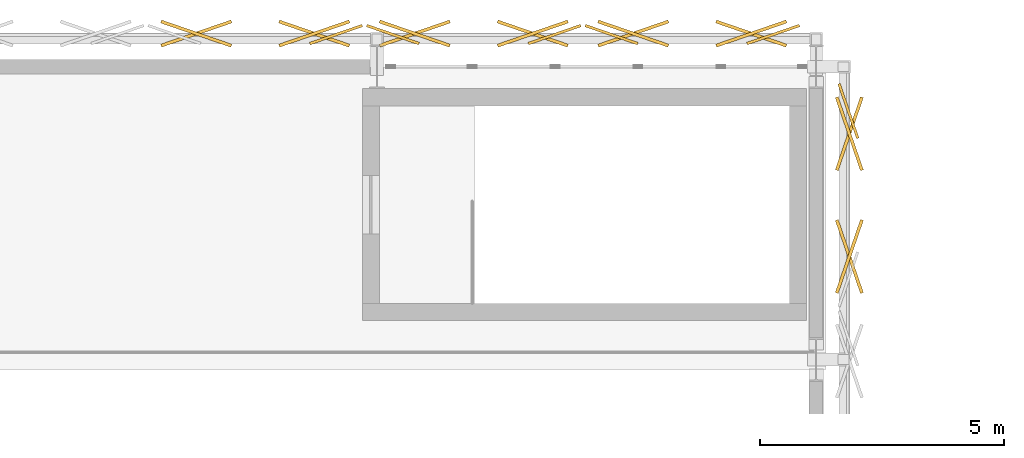
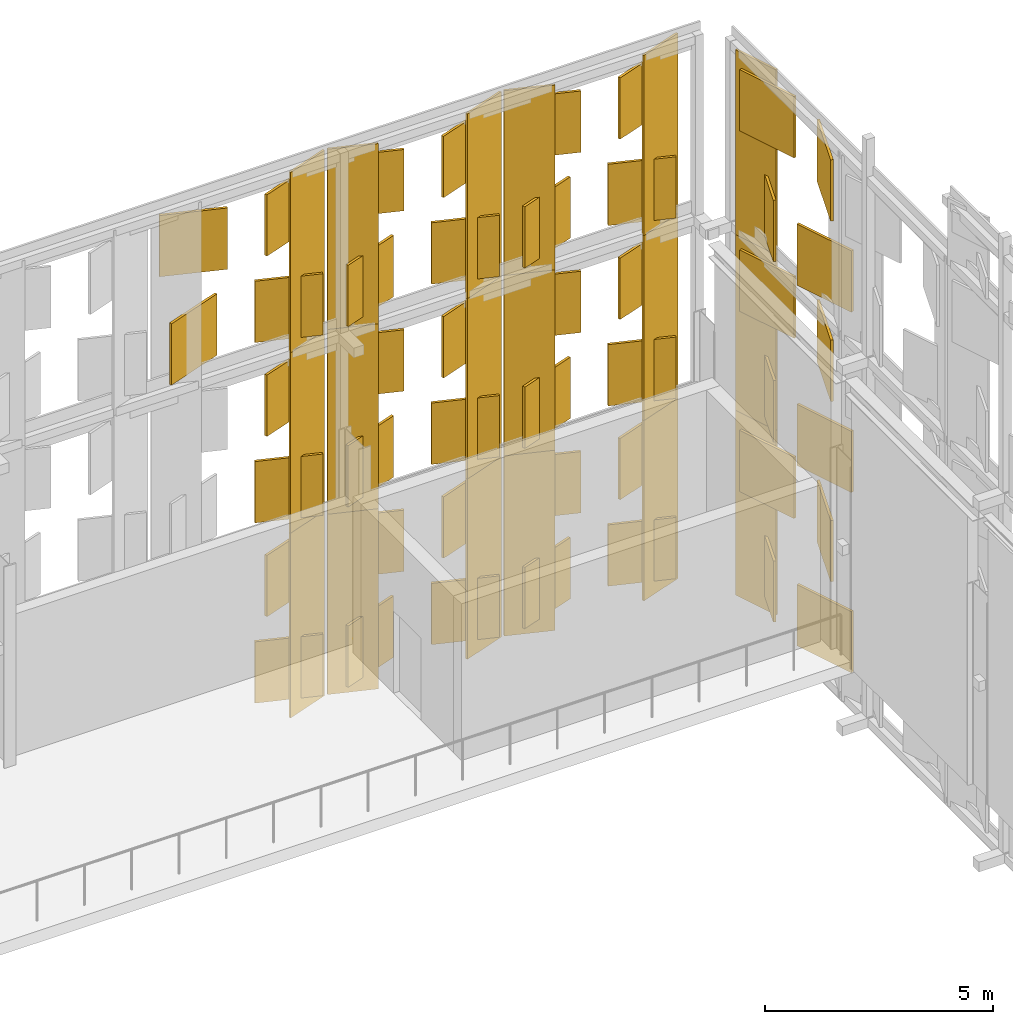
# One storey, part 203 of 210: 62 coverings.
"""IFC4 building model written with IfcOpenShell, lengths in metres."""

from ifc_helpers import new_model, si_unit, direction, frame, origin, origin_2d, place, context, subcontext, project, spatial, rectangle, extrude, material, layer, layer_set, type_object, element, save


model = new_model("IFC4")

# Units and contexts
model_context = context("Model", 3, precision=1e-05, world=origin(), true_north=direction((0.0, 1.0)))
body_context = subcontext(model_context, "Body", "Model", "MODEL_VIEW")
ifc_project = project(units=[si_unit("LENGTHUNIT", "METRE"), si_unit("AREAUNIT", "SQUARE_METRE"), si_unit("VOLUMEUNIT", "CUBIC_METRE"), si_unit("PLANEANGLEUNIT", "RADIAN"), si_unit("MASSUNIT", "GRAM", prefix="KILO")], contexts=[model_context])

# Site, building, storey
site_placement = place(None, origin())
site = spatial("IfcSite", under=ifc_project, at=site_placement, CompositionType="ELEMENT")
building_placement = place(site_placement, origin())
building = spatial("IfcBuilding", under=site, at=building_placement, Name="Kaldris Quays Convention Centre", CompositionType="ELEMENT")
storey_placement = place(building_placement, frame((0.0, 0.0, 6.0)))
storey = spatial("IfcBuildingStorey", under=building, at=storey_placement, Name="L01", CompositionType="ELEMENT", Elevation=6.0)

# Coverings
ifc_material = material(Name="Alabaster white star-pierced anodized aluminium panel", Category="aluminium")
ifc_layer = layer(ifc_material, 0.044921875)
ifc_layer_set = layer_set([ifc_layer], Name="Alabaster white star-pierced anodized aluminium panel")
covering_type = type_object("IfcCoveringType", Name="STAR PIERCED WHITE FOLDED SCREEN CL01", PredefinedType="CLADDING", material=ifc_layer_set)
covering_1_placement = place(storey_placement, frame((136.16064453125, 140.659912109375, -1.91015625), z_axis=(0.0, 0.0, 1.0), x_axis=(0.945518575599, 0.325568154457, 0.0)))
element("IfcCovering", 1, at=covering_1_placement, inside=storey, type_object=covering_type, Name="V1N Folded White Screen Stile 1022", PredefinedType="CLADDING", context=body_context, shape_type="SweptSolid", body=[
    extrude(rectangle(XDim=1.136962890625, YDim=0.054931640625, at=origin_2d()), origin(), (0.0, 0.0, 1.0), 4.952880859375),
])
for number, where, z_axis, x_axis, name in (
    (2, (135.712890625, 140.679931640625, -1.559814453125), (0.0, 0.0, 1.0), (0.945518575599, -0.325568154457, 0.0), "V1N Carved Star Corner Facet 1025"),
    (3, (135.712890625, 140.679931640625, 1.0498046875), (0.0, 0.0, 1.0), (0.945518575599, 0.325568154457, 0.0), "V1N Carved Star Corner Facet 1026"),
):
    element("IfcCovering", number, at=place(storey_placement, frame(where, z_axis=z_axis, x_axis=x_axis)), inside=storey, type_object=covering_type, Name=name, PredefinedType="CLADDING", context=body_context, shape_type="SweptSolid", body=[
        extrude(rectangle(XDim=1.52294921875, YDim=0.06494140625, at=origin_2d()), origin(), (0.0, 0.0, 1.0), 1.64306640625),
    ])
covering_2_placement = place(storey_placement, frame((136.16064453125, 140.659912109375, 2.9228515625), z_axis=(0.0, 0.0, 1.0), x_axis=(0.945518575599, 0.325568154457, 0.0)))
element("IfcCovering", 4, at=covering_2_placement, inside=storey, type_object=covering_type, Name="V1N Folded White Screen Stile 1028", PredefinedType="CLADDING", context=body_context, shape_type="SweptSolid", body=[
    extrude(rectangle(XDim=1.136962890625, YDim=0.054931640625, at=origin_2d()), origin(), (0.0, 0.0, 1.0), 4.9541015625),
])
for number, where, z_axis, x_axis, name in (
    (5, (135.712890625, 140.679931640625, 3.272705078125), (0.0, 0.0, 1.0), (0.945518575599, -0.325568154457, 0.0), "V1N Carved Star Corner Facet 1031"),
    (6, (135.712890625, 140.679931640625, 5.883056640625), (0.0, 0.0, 1.0), (0.945518575599, 0.325568154457, 0.0), "V1N Carved Star Corner Facet 1032"),
):
    element("IfcCovering", number, at=place(storey_placement, frame(where, z_axis=z_axis, x_axis=x_axis)), inside=storey, type_object=covering_type, Name=name, PredefinedType="CLADDING", context=body_context, shape_type="SweptSolid", body=[
        extrude(rectangle(XDim=1.52294921875, YDim=0.06494140625, at=origin_2d()), origin(), (0.0, 0.0, 1.0), 1.64404296875),
    ])
covering_3_placement = place(storey_placement, frame((136.16064453125, 140.659912109375, 7.7568359375), z_axis=(0.0, 0.0, 1.0), x_axis=(0.945518575599, 0.325568154457, 0.0)))
element("IfcCovering", 7, at=covering_3_placement, inside=storey, type_object=covering_type, Name="V1N Folded White Screen Stile 1034", PredefinedType="CLADDING", context=body_context, shape_type="SweptSolid", body=[
    extrude(rectangle(XDim=1.136962890625, YDim=0.054931640625, at=origin_2d()), origin(), (0.0, 0.0, 1.0), 4.952880859375),
])
for number, where, z_axis, x_axis, name in (
    (8, (133.29443359375, 140.679931640625, 8.107177734375), (0.0, 0.0, 1.0), (0.945518575599, 0.325568154457, 0.0), "V1N Carved Star Corner Facet 1035"),
    (9, (133.29443359375, 140.679931640625, 10.716796875), (0.0, 0.0, 1.0), (0.945518575599, -0.325568154457, 0.0), "V1N Carved Star Corner Facet 1036"),
    (10, (135.712890625, 140.679931640625, 8.107177734375), (0.0, 0.0, 1.0), (0.945518575599, -0.325568154457, 0.0), "V1N Carved Star Corner Facet 1037"),
    (11, (135.712890625, 140.679931640625, 10.716796875), (0.0, 0.0, 1.0), (0.945518575599, 0.325568154457, 0.0), "V1N Carved Star Corner Facet 1038"),
):
    element("IfcCovering", number, at=place(storey_placement, frame(where, z_axis=z_axis, x_axis=x_axis)), inside=storey, type_object=covering_type, Name=name, PredefinedType="CLADDING", context=body_context, shape_type="SweptSolid", body=[
        extrude(rectangle(XDim=1.52294921875, YDim=0.06494140625, at=origin_2d()), origin(), (0.0, 0.0, 1.0), 1.64306640625),
    ])
for number, where, z_axis, x_axis, name in (
    (12, (137.3251953125, 140.659912109375, -1.91015625), (0.0, 0.0, 1.0), (0.945518575599, -0.325568154457, 0.0), "V1N Folded White Screen Stile 1039"),
    (13, (140.63916015625, 140.659912109375, -1.91015625), (0.0, 0.0, 1.0), (0.945518575599, 0.325568154457, 0.0), "V1N Folded White Screen Stile 1040"),
):
    element("IfcCovering", number, at=place(storey_placement, frame(where, z_axis=z_axis, x_axis=x_axis)), inside=storey, type_object=covering_type, Name=name, PredefinedType="CLADDING", context=body_context, shape_type="SweptSolid", body=[
        extrude(rectangle(XDim=1.136962890625, YDim=0.054931640625, at=origin_2d()), origin(), (0.0, 0.0, 1.0), 4.952880859375),
    ])
for number, where, z_axis, x_axis, name in (
    (14, (137.77294921875, 140.679931640625, -1.559814453125), (0.0, 0.0, 1.0), (0.945518575599, 0.325568154457, 0.0), "V1N Carved Star Corner Facet 1041"),
    (15, (137.77294921875, 140.679931640625, 1.0498046875), (0.0, 0.0, 1.0), (0.945518575599, -0.325568154457, 0.0), "V1N Carved Star Corner Facet 1042"),
    (16, (140.19140625, 140.679931640625, -1.559814453125), (0.0, 0.0, 1.0), (0.945518575599, -0.325568154457, 0.0), "V1N Carved Star Corner Facet 1043"),
    (17, (140.19140625, 140.679931640625, 1.0498046875), (0.0, 0.0, 1.0), (0.945518575599, 0.325568154457, 0.0), "V1N Carved Star Corner Facet 1044"),
):
    element("IfcCovering", number, at=place(storey_placement, frame(where, z_axis=z_axis, x_axis=x_axis)), inside=storey, type_object=covering_type, Name=name, PredefinedType="CLADDING", context=body_context, shape_type="SweptSolid", body=[
        extrude(rectangle(XDim=1.52294921875, YDim=0.06494140625, at=origin_2d()), origin(), (0.0, 0.0, 1.0), 1.64306640625),
    ])
for number, where, z_axis, x_axis, name in (
    (18, (137.3251953125, 140.659912109375, 2.9228515625), (0.0, 0.0, 1.0), (0.945518575599, -0.325568154457, 0.0), "V1N Folded White Screen Stile 1045"),
    (19, (140.63916015625, 140.659912109375, 2.9228515625), (0.0, 0.0, 1.0), (0.945518575599, 0.325568154457, 0.0), "V1N Folded White Screen Stile 1046"),
):
    element("IfcCovering", number, at=place(storey_placement, frame(where, z_axis=z_axis, x_axis=x_axis)), inside=storey, type_object=covering_type, Name=name, PredefinedType="CLADDING", context=body_context, shape_type="SweptSolid", body=[
        extrude(rectangle(XDim=1.136962890625, YDim=0.054931640625, at=origin_2d()), origin(), (0.0, 0.0, 1.0), 4.9541015625),
    ])
for number, where, z_axis, x_axis, name in (
    (20, (137.77294921875, 140.679931640625, 3.272705078125), (0.0, 0.0, 1.0), (0.945518575599, 0.325568154457, 0.0), "V1N Carved Star Corner Facet 1047"),
    (21, (137.77294921875, 140.679931640625, 5.883056640625), (0.0, 0.0, 1.0), (0.945518575599, -0.325568154457, 0.0), "V1N Carved Star Corner Facet 1048"),
    (22, (140.19140625, 140.679931640625, 3.272705078125), (0.0, 0.0, 1.0), (0.945518575599, -0.325568154457, 0.0), "V1N Carved Star Corner Facet 1049"),
    (23, (140.19140625, 140.679931640625, 5.883056640625), (0.0, 0.0, 1.0), (0.945518575599, 0.325568154457, 0.0), "V1N Carved Star Corner Facet 1050"),
):
    element("IfcCovering", number, at=place(storey_placement, frame(where, z_axis=z_axis, x_axis=x_axis)), inside=storey, type_object=covering_type, Name=name, PredefinedType="CLADDING", context=body_context, shape_type="SweptSolid", body=[
        extrude(rectangle(XDim=1.52294921875, YDim=0.06494140625, at=origin_2d()), origin(), (0.0, 0.0, 1.0), 1.64404296875),
    ])
for number, where, z_axis, x_axis, name in (
    (24, (137.3251953125, 140.659912109375, 7.7568359375), (0.0, 0.0, 1.0), (0.945518575599, -0.325568154457, 0.0), "V1N Folded White Screen Stile 1051"),
    (25, (140.63916015625, 140.659912109375, 7.7568359375), (0.0, 0.0, 1.0), (0.945518575599, 0.325568154457, 0.0), "V1N Folded White Screen Stile 1052"),
):
    element("IfcCovering", number, at=place(storey_placement, frame(where, z_axis=z_axis, x_axis=x_axis)), inside=storey, type_object=covering_type, Name=name, PredefinedType="CLADDING", context=body_context, shape_type="SweptSolid", body=[
        extrude(rectangle(XDim=1.136962890625, YDim=0.054931640625, at=origin_2d()), origin(), (0.0, 0.0, 1.0), 4.952880859375),
    ])
for number, where, z_axis, x_axis, name in (
    (26, (137.77294921875, 140.679931640625, 8.107177734375), (0.0, 0.0, 1.0), (0.945518575599, 0.325568154457, 0.0), "V1N Carved Star Corner Facet 1053"),
    (27, (137.77294921875, 140.679931640625, 10.716796875), (0.0, 0.0, 1.0), (0.945518575599, -0.325568154457, 0.0), "V1N Carved Star Corner Facet 1054"),
    (28, (140.19140625, 140.679931640625, 8.107177734375), (0.0, 0.0, 1.0), (0.945518575599, -0.325568154457, 0.0), "V1N Carved Star Corner Facet 1055"),
    (29, (140.19140625, 140.679931640625, 10.716796875), (0.0, 0.0, 1.0), (0.945518575599, 0.325568154457, 0.0), "V1N Carved Star Corner Facet 1056"),
):
    element("IfcCovering", number, at=place(storey_placement, frame(where, z_axis=z_axis, x_axis=x_axis)), inside=storey, type_object=covering_type, Name=name, PredefinedType="CLADDING", context=body_context, shape_type="SweptSolid", body=[
        extrude(rectangle(XDim=1.52294921875, YDim=0.06494140625, at=origin_2d()), origin(), (0.0, 0.0, 1.0), 1.64306640625),
    ])
for number, where, z_axis, x_axis, name in (
    (30, (141.8037109375, 140.659912109375, -1.91015625), (0.0, 0.0, 1.0), (0.945518575599, -0.325568154457, 0.0), "V1N Folded White Screen Stile 1057"),
    (31, (145.117919921875, 140.659912109375, -1.91015625), (0.0, 0.0, 1.0), (0.945518575599, 0.325568154457, 0.0), "V1N Folded White Screen Stile 1058"),
):
    element("IfcCovering", number, at=place(storey_placement, frame(where, z_axis=z_axis, x_axis=x_axis)), inside=storey, type_object=covering_type, Name=name, PredefinedType="CLADDING", context=body_context, shape_type="SweptSolid", body=[
        extrude(rectangle(XDim=1.136962890625, YDim=0.054931640625, at=origin_2d()), origin(), (0.0, 0.0, 1.0), 4.952880859375),
    ])
for number, where, z_axis, x_axis, name in (
    (32, (142.25146484375, 140.679931640625, -1.559814453125), (0.0, 0.0, 1.0), (0.945518575599, 0.325568154457, 0.0), "V1N Carved Star Corner Facet 1059"),
    (33, (142.25146484375, 140.679931640625, 1.0498046875), (0.0, 0.0, 1.0), (0.945518575599, -0.325568154457, 0.0), "V1N Carved Star Corner Facet 1060"),
    (34, (144.669921875, 140.679931640625, -1.559814453125), (0.0, 0.0, 1.0), (0.945518575599, -0.325568154457, 0.0), "V1N Carved Star Corner Facet 1061"),
    (35, (144.669921875, 140.679931640625, 1.0498046875), (0.0, 0.0, 1.0), (0.945518575599, 0.325568154457, 0.0), "V1N Carved Star Corner Facet 1062"),
):
    element("IfcCovering", number, at=place(storey_placement, frame(where, z_axis=z_axis, x_axis=x_axis)), inside=storey, type_object=covering_type, Name=name, PredefinedType="CLADDING", context=body_context, shape_type="SweptSolid", body=[
        extrude(rectangle(XDim=1.52294921875, YDim=0.06494140625, at=origin_2d()), origin(), (0.0, 0.0, 1.0), 1.64306640625),
    ])
for number, where, z_axis, x_axis, name in (
    (36, (141.8037109375, 140.659912109375, 2.9228515625), (0.0, 0.0, 1.0), (0.945518575599, -0.325568154457, 0.0), "V1N Folded White Screen Stile 1063"),
    (37, (145.117919921875, 140.659912109375, 2.9228515625), (0.0, 0.0, 1.0), (0.945518575599, 0.325568154457, 0.0), "V1N Folded White Screen Stile 1064"),
):
    element("IfcCovering", number, at=place(storey_placement, frame(where, z_axis=z_axis, x_axis=x_axis)), inside=storey, type_object=covering_type, Name=name, PredefinedType="CLADDING", context=body_context, shape_type="SweptSolid", body=[
        extrude(rectangle(XDim=1.136962890625, YDim=0.054931640625, at=origin_2d()), origin(), (0.0, 0.0, 1.0), 4.9541015625),
    ])
for number, where, z_axis, x_axis, name in (
    (38, (142.25146484375, 140.679931640625, 3.272705078125), (0.0, 0.0, 1.0), (0.945518575599, 0.325568154457, 0.0), "V1N Carved Star Corner Facet 1065"),
    (39, (142.25146484375, 140.679931640625, 5.883056640625), (0.0, 0.0, 1.0), (0.945518575599, -0.325568154457, 0.0), "V1N Carved Star Corner Facet 1066"),
    (40, (144.669921875, 140.679931640625, 3.272705078125), (0.0, 0.0, 1.0), (0.945518575599, -0.325568154457, 0.0), "V1N Carved Star Corner Facet 1067"),
    (41, (144.669921875, 140.679931640625, 5.883056640625), (0.0, 0.0, 1.0), (0.945518575599, 0.325568154457, 0.0), "V1N Carved Star Corner Facet 1068"),
):
    element("IfcCovering", number, at=place(storey_placement, frame(where, z_axis=z_axis, x_axis=x_axis)), inside=storey, type_object=covering_type, Name=name, PredefinedType="CLADDING", context=body_context, shape_type="SweptSolid", body=[
        extrude(rectangle(XDim=1.52294921875, YDim=0.06494140625, at=origin_2d()), origin(), (0.0, 0.0, 1.0), 1.64404296875),
    ])
for number, where, z_axis, x_axis, name in (
    (42, (141.8037109375, 140.659912109375, 7.7568359375), (0.0, 0.0, 1.0), (0.945518575599, -0.325568154457, 0.0), "V1N Folded White Screen Stile 1069"),
    (43, (145.117919921875, 140.659912109375, 7.7568359375), (0.0, 0.0, 1.0), (0.945518575599, 0.325568154457, 0.0), "V1N Folded White Screen Stile 1070"),
):
    element("IfcCovering", number, at=place(storey_placement, frame(where, z_axis=z_axis, x_axis=x_axis)), inside=storey, type_object=covering_type, Name=name, PredefinedType="CLADDING", context=body_context, shape_type="SweptSolid", body=[
        extrude(rectangle(XDim=1.136962890625, YDim=0.054931640625, at=origin_2d()), origin(), (0.0, 0.0, 1.0), 4.952880859375),
    ])
for number, where, z_axis, x_axis, name in (
    (44, (142.25146484375, 140.679931640625, 8.107177734375), (0.0, 0.0, 1.0), (0.945518575599, 0.325568154457, 0.0), "V1N Carved Star Corner Facet 1071"),
    (45, (142.25146484375, 140.679931640625, 10.716796875), (0.0, 0.0, 1.0), (0.945518575599, -0.325568154457, 0.0), "V1N Carved Star Corner Facet 1072"),
    (46, (144.669921875, 140.679931640625, 8.107177734375), (0.0, 0.0, 1.0), (0.945518575599, -0.325568154457, 0.0), "V1N Carved Star Corner Facet 1073"),
    (47, (144.669921875, 140.679931640625, 10.716796875), (0.0, 0.0, 1.0), (0.945518575599, 0.325568154457, 0.0), "V1N Carved Star Corner Facet 1074"),
):
    element("IfcCovering", number, at=place(storey_placement, frame(where, z_axis=z_axis, x_axis=x_axis)), inside=storey, type_object=covering_type, Name=name, PredefinedType="CLADDING", context=body_context, shape_type="SweptSolid", body=[
        extrude(rectangle(XDim=1.52294921875, YDim=0.06494140625, at=origin_2d()), origin(), (0.0, 0.0, 1.0), 1.64306640625),
    ])
covering_4_placement = place(storey_placement, frame((146.659912109375, 139.09423828125, -1.91015625), z_axis=(0.0, 0.0, 1.0), x_axis=(-0.325568154457, 0.945518575599, 0.0)))
element("IfcCovering", 48, at=covering_4_placement, inside=storey, type_object=covering_type, Name="V1E Folded White Screen Stile 1850", PredefinedType="CLADDING", context=body_context, shape_type="SweptSolid", body=[
    extrude(rectangle(XDim=1.18310546875, YDim=0.054931640625, at=origin_2d()), origin(), (0.0, 0.0, 1.0), 4.952880859375),
])
for number, where, z_axis, x_axis, name in (
    (49, (146.679931640625, 136.11181640625, -1.559814453125), (0.0, 0.0, 1.0), (-0.325568154457, 0.945518575599, 0.0), "V1E Carved Star Corner Facet 1851"),
    (50, (146.679931640625, 136.11181640625, 1.0498046875), (0.0, 0.0, 1.0), (0.325568154457, 0.945518575599, 0.0), "V1E Carved Star Corner Facet 1852"),
    (51, (146.679931640625, 138.628173828125, -1.559814453125), (0.0, 0.0, 1.0), (0.325568154457, 0.945518575599, 0.0), "V1E Carved Star Corner Facet 1853"),
    (52, (146.679931640625, 138.628173828125, 1.0498046875), (0.0, 0.0, 1.0), (-0.325568154457, 0.945518575599, 0.0), "V1E Carved Star Corner Facet 1854"),
):
    element("IfcCovering", number, at=place(storey_placement, frame(where, z_axis=z_axis, x_axis=x_axis)), inside=storey, type_object=covering_type, Name=name, PredefinedType="CLADDING", context=body_context, shape_type="SweptSolid", body=[
        extrude(rectangle(XDim=1.583984375, YDim=0.06494140625, at=origin_2d()), origin(), (0.0, 0.0, 1.0), 1.64306640625),
    ])
covering_5_placement = place(storey_placement, frame((146.659912109375, 139.09423828125, 2.9228515625), z_axis=(0.0, 0.0, 1.0), x_axis=(-0.325568154457, 0.945518575599, 0.0)))
element("IfcCovering", 53, at=covering_5_placement, inside=storey, type_object=covering_type, Name="V1E Folded White Screen Stile 1856", PredefinedType="CLADDING", context=body_context, shape_type="SweptSolid", body=[
    extrude(rectangle(XDim=1.18310546875, YDim=0.054931640625, at=origin_2d()), origin(), (0.0, 0.0, 1.0), 4.9541015625),
])
for number, where, z_axis, x_axis, name in (
    (54, (146.679931640625, 136.11181640625, 3.272705078125), (0.0, 0.0, 1.0), (-0.325568154457, 0.945518575599, 0.0), "V1E Carved Star Corner Facet 1857"),
    (55, (146.679931640625, 136.11181640625, 5.883056640625), (0.0, 0.0, 1.0), (0.325568154457, 0.945518575599, 0.0), "V1E Carved Star Corner Facet 1858"),
    (56, (146.679931640625, 138.628173828125, 3.272705078125), (0.0, 0.0, 1.0), (0.325568154457, 0.945518575599, 0.0), "V1E Carved Star Corner Facet 1859"),
    (57, (146.679931640625, 138.628173828125, 5.883056640625), (0.0, 0.0, 1.0), (-0.325568154457, 0.945518575599, 0.0), "V1E Carved Star Corner Facet 1860"),
):
    element("IfcCovering", number, at=place(storey_placement, frame(where, z_axis=z_axis, x_axis=x_axis)), inside=storey, type_object=covering_type, Name=name, PredefinedType="CLADDING", context=body_context, shape_type="SweptSolid", body=[
        extrude(rectangle(XDim=1.583984375, YDim=0.06494140625, at=origin_2d()), origin(), (0.0, 0.0, 1.0), 1.64404296875),
    ])
covering_6_placement = place(storey_placement, frame((146.659912109375, 139.09423828125, 7.7568359375), z_axis=(0.0, 0.0, 1.0), x_axis=(-0.325568154457, 0.945518575599, 0.0)))
element("IfcCovering", 58, at=covering_6_placement, inside=storey, type_object=covering_type, Name="V1E Folded White Screen Stile 1862", PredefinedType="CLADDING", context=body_context, shape_type="SweptSolid", body=[
    extrude(rectangle(XDim=1.18310546875, YDim=0.054931640625, at=origin_2d()), origin(), (0.0, 0.0, 1.0), 4.952880859375),
])
for number, where, z_axis, x_axis, name in (
    (59, (146.679931640625, 136.11181640625, 8.107177734375), (0.0, 0.0, 1.0), (-0.325568154457, 0.945518575599, 0.0), "V1E Carved Star Corner Facet 1863"),
    (60, (146.679931640625, 136.11181640625, 10.716796875), (0.0, 0.0, 1.0), (0.325568154457, 0.945518575599, 0.0), "V1E Carved Star Corner Facet 1864"),
    (61, (146.679931640625, 138.628173828125, 8.107177734375), (0.0, 0.0, 1.0), (0.325568154457, 0.945518575599, 0.0), "V1E Carved Star Corner Facet 1865"),
    (62, (146.679931640625, 138.628173828125, 10.716796875), (0.0, 0.0, 1.0), (-0.325568154457, 0.945518575599, 0.0), "V1E Carved Star Corner Facet 1866"),
):
    element("IfcCovering", number, at=place(storey_placement, frame(where, z_axis=z_axis, x_axis=x_axis)), inside=storey, type_object=covering_type, Name=name, PredefinedType="CLADDING", context=body_context, shape_type="SweptSolid", body=[
        extrude(rectangle(XDim=1.583984375, YDim=0.06494140625, at=origin_2d()), origin(), (0.0, 0.0, 1.0), 1.64306640625),
    ])

save(model, "model.ifc")
